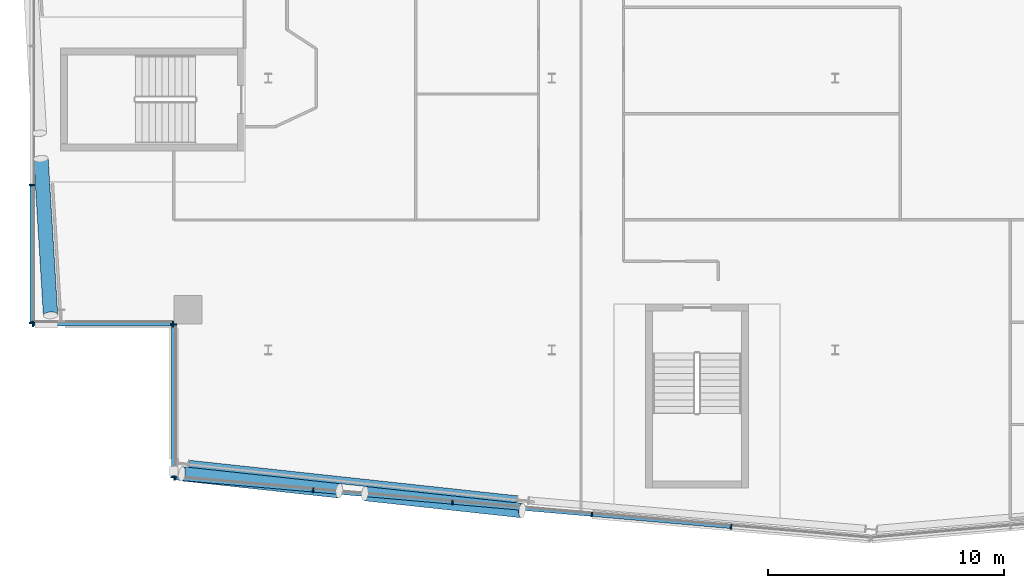
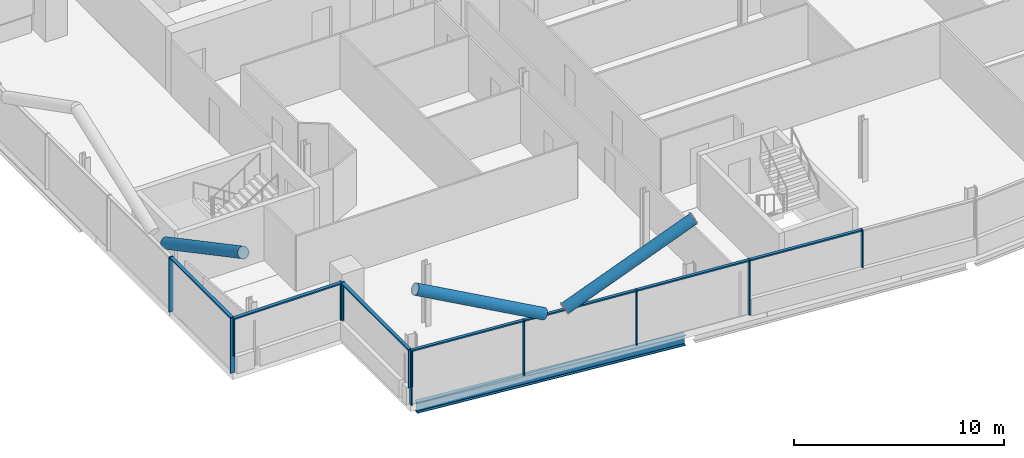
# One storey, part 5 of 27: 21 members, 1 beam, 4 elements without a shape of their own.
"""IFC4 building model written with IfcOpenShell, lengths in metres."""

from ifc_helpers import new_model, si_unit, direction, frame, origin, origin_2d, place, context, subcontext, project, spatial, rectangle, hollow_circle, i_section, extrude, material, material_profile, profile_set, type_object, element, aggregate, save


model = new_model("IFC4")

# Units and contexts
model_context = context("Model", 3, precision=1e-05, world=origin(), true_north=direction((0.0, 1.0)))
body_context = subcontext(model_context, "Body", "Model", "MODEL_VIEW")
ifc_project = project(units=[si_unit("LENGTHUNIT", "METRE"), si_unit("AREAUNIT", "SQUARE_METRE"), si_unit("VOLUMEUNIT", "CUBIC_METRE"), si_unit("PLANEANGLEUNIT", "RADIAN"), si_unit("MASSUNIT", "GRAM", prefix="KILO")], contexts=[model_context])

# Site, building, storey
site_placement = place(None, origin())
site = spatial("IfcSite", under=ifc_project, at=site_placement, CompositionType="ELEMENT")
building_placement = place(site_placement, origin())
building = spatial("IfcBuilding", under=site, at=building_placement, Name="Wharfspan Tower", CompositionType="ELEMENT")
storey_placement = place(building_placement, frame((0.0, 0.0, 228.699951)))
storey = spatial("IfcBuildingStorey", under=building, at=storey_placement, Name="L57", CompositionType="ELEMENT", Elevation=228.699951)

# Beam
ifc_material_1 = material(Name="Steel S355J2", Category="steel")
ifc_material_profile_1 = material_profile(ifc_material_1, i_section(OverallWidth=0.300049, OverallDepth=0.600098, WebThickness=0.015381, FlangeThickness=0.030029, FilletRadius=0.0271, at=origin_2d()))
ifc_profile_set_1 = profile_set([ifc_material_profile_1], Name="Steel S355J2")
beam_type = type_object("IfcBeamType", Name="Edge beam HEB 600", PredefinedType="SPANDREL", material=ifc_profile_set_1)
beam_placement = place(storey_placement, frame((20.648682, 6.674805, -0.699951), z_axis=(0.99418, -0.107732, 0.0), x_axis=(0.107732, 0.99418, 0.0)))
element("IfcBeam", 1, at=beam_placement, inside=storey, type_object=beam_type, Name="Edge beam S1 L57 PS1.1 to PS1.2", PredefinedType="SPANDREL", context=body_context, shape_type="SweptSolid", body=[
    extrude(i_section(OverallWidth=0.300049, OverallDepth=0.600098, WebThickness=0.015381, FlangeThickness=0.030029, FilletRadius=0.0271, at=origin_2d()), origin(), (0.0, 0.0, 1.0), 13.95752),
])

# Curtain wall, members
ifc_material_2 = material(Name="Aluminium 6063-T6", Category="aluminium")
curtain_wall_type_1 = type_object("IfcCurtainWallType", Name="CURTAIN WALL FACETED FRONT", PredefinedType="NOTDEFINED", material=ifc_material_2)
curtain_wall_1_placement = place(storey_placement, origin())
curtain_wall_1 = element("IfcCurtainWall", 2, at=curtain_wall_1_placement, inside=storey, type_object=curtain_wall_type_1, Name="Curtain wall S1", PredefinedType="NOTDEFINED")
ifc_material_profile_2 = material_profile(ifc_material_2, rectangle(XDim=0.199951, YDim=0.060059, at=origin_2d()))
ifc_profile_set_2 = profile_set([ifc_material_profile_2], Name="Aluminium 6063-T6")
member_type_1 = type_object("IfcMemberType", Name="MULLION FACETED FRONT 60x200", PredefinedType="MULLION", material=ifc_profile_set_2)
member_1_placement = place(storey_placement, frame((20.029785, 6.07251, 0.0), z_axis=(0.0, 0.0, 1.0), x_axis=(0.087156, 0.996197, 0.0)))
member_1 = element("IfcMember", 3, at=member_1_placement, type_object=member_type_1, Name="Curtain wall S1 mullion 1", PredefinedType="MULLION", context=body_context, shape_type="SweptSolid", body=[
    extrude(rectangle(XDim=0.199951, YDim=0.060059, at=origin_2d()), origin(), (0.0, 0.0, 1.0), 3.199951),
])
member_2_placement = place(storey_placement, frame((25.899902, 5.558838, 0.0), z_axis=(0.0, 0.0, 1.0), x_axis=(0.087156, 0.996197, 0.0)))
member_2 = element("IfcMember", 4, at=member_2_placement, type_object=member_type_1, Name="Curtain wall S1 mullion 2", PredefinedType="MULLION", context=body_context, shape_type="SweptSolid", body=[
    extrude(rectangle(XDim=0.199951, YDim=0.060059, at=origin_2d()), origin(), (0.0, 0.0, 1.0), 3.199951),
])
member_3_placement = place(storey_placement, frame((31.800049, 5.042725, 0.0), z_axis=(0.0, 0.0, 1.0), x_axis=(0.087156, 0.996197, 0.0)))
member_3 = element("IfcMember", 5, at=member_3_placement, type_object=member_type_1, Name="Curtain wall S1 mullion 3", PredefinedType="MULLION", context=body_context, shape_type="SweptSolid", body=[
    extrude(rectangle(XDim=0.199951, YDim=0.060059, at=origin_2d()), origin(), (0.0, 0.0, 1.0), 3.199951),
])
member_4_placement = place(storey_placement, frame((37.699951, 4.526611, 0.0), z_axis=(0.0, 0.0, 1.0), x_axis=(0.087156, 0.996197, 0.0)))
member_4 = element("IfcMember", 6, at=member_4_placement, type_object=member_type_1, Name="Curtain wall S1 mullion 4", PredefinedType="MULLION", context=body_context, shape_type="SweptSolid", body=[
    extrude(rectangle(XDim=0.199951, YDim=0.060059, at=origin_2d()), origin(), (0.0, 0.0, 1.0), 3.199951),
])
member_5_placement = place(storey_placement, frame((43.600098, 4.010254, 1.0), z_axis=(0.0, 0.0, 1.0), x_axis=(0.087156, 0.996197, 0.0)))
member_5 = element("IfcMember", 7, at=member_5_placement, type_object=member_type_1, Name="Curtain wall S1 mullion 5", PredefinedType="MULLION", context=body_context, shape_type="SweptSolid", body=[
    extrude(rectangle(XDim=0.199951, YDim=0.060059, at=origin_2d()), origin(), (0.0, 0.0, 1.0), 2.199951),
])

curtain_wall_type_2 = type_object("IfcCurtainWallType", Name="CURTAIN WALL PROW AND END", PredefinedType="NOTDEFINED", material=ifc_material_2)
curtain_wall_2_placement = place(storey_placement, origin())
curtain_wall_2 = element("IfcCurtainWall", 8, at=curtain_wall_2_placement, inside=storey, type_object=curtain_wall_type_2, Name="Curtain wall W", PredefinedType="NOTDEFINED")
ifc_material_profile_3 = material_profile(ifc_material_2, rectangle(XDim=0.23999, YDim=0.060059, at=origin_2d()))
ifc_profile_set_3 = profile_set([ifc_material_profile_3], Name="Aluminium 6063-T6")
member_type_2 = type_object("IfcMemberType", Name="MULLION PROW AND END 60x240", PredefinedType="MULLION", material=ifc_profile_set_3)
member_6_placement = place(storey_placement, frame((14.0, 18.47998, 0.0), z_axis=(0.0, 0.0, 1.0), x_axis=(1.0, 0.0, 0.0)))
member_6 = element("IfcMember", 9, at=member_6_placement, type_object=member_type_2, Name="Curtain wall W mullion 5", PredefinedType="MULLION", context=body_context, shape_type="SweptSolid", body=[
    extrude(rectangle(XDim=0.23999, YDim=0.060059, at=origin_2d()), origin(), (0.0, 0.0, 1.0), 3.199951),
])
member_7_placement = place(storey_placement, frame((14.0, 12.629883, 0.0), z_axis=(0.0, 0.0, 1.0), x_axis=(1.0, 0.0, 0.0)))
member_7 = element("IfcMember", 10, at=member_7_placement, type_object=member_type_2, Name="Curtain wall W mullion 6", PredefinedType="MULLION", context=body_context, shape_type="SweptSolid", body=[
    extrude(rectangle(XDim=0.23999, YDim=0.060059, at=origin_2d()), origin(), (0.0, 0.0, 1.0), 3.199951),
])

curtain_wall_3_placement = place(storey_placement, origin())
curtain_wall_3 = element("IfcCurtainWall", 11, at=curtain_wall_3_placement, inside=storey, type_object=curtain_wall_type_2, Name="Curtain wall NFW-H", PredefinedType="NOTDEFINED")
member_8_placement = place(storey_placement, frame((14.030029, 12.600098, 1.0), z_axis=(0.0, 0.0, 1.0), x_axis=(0.0, 1.0, 0.0)))
member_8 = element("IfcMember", 12, at=member_8_placement, type_object=member_type_2, Name="Curtain wall NFW-H mullion 1", PredefinedType="MULLION", context=body_context, shape_type="SweptSolid", body=[
    extrude(rectangle(XDim=0.23999, YDim=0.060059, at=origin_2d()), origin(), (0.0, 0.0, 1.0), 2.199951),
])
member_9_placement = place(storey_placement, frame((19.969971, 12.600098, 1.0), z_axis=(0.0, 0.0, 1.0), x_axis=(0.0, 1.0, 0.0)))
member_9 = element("IfcMember", 13, at=member_9_placement, type_object=member_type_2, Name="Curtain wall NFW-H mullion 2", PredefinedType="MULLION", context=body_context, shape_type="SweptSolid", body=[
    extrude(rectangle(XDim=0.23999, YDim=0.060059, at=origin_2d()), origin(), (0.0, 0.0, 1.0), 2.199951),
])

curtain_wall_4_placement = place(storey_placement, origin())
curtain_wall_4 = element("IfcCurtainWall", 14, at=curtain_wall_4_placement, inside=storey, type_object=curtain_wall_type_2, Name="Curtain wall NFW-V", PredefinedType="NOTDEFINED")
member_10_placement = place(storey_placement, frame((20.0, 12.570068, 1.0), z_axis=(0.0, 0.0, 1.0), x_axis=(1.0, 0.0, 0.0)))
member_10 = element("IfcMember", 15, at=member_10_placement, type_object=member_type_2, Name="Curtain wall NFW-V mullion 1", PredefinedType="MULLION", context=body_context, shape_type="SweptSolid", body=[
    extrude(rectangle(XDim=0.23999, YDim=0.060059, at=origin_2d()), origin(), (0.0, 0.0, 1.0), 2.199951),
])
member_11_placement = place(storey_placement, frame((20.0, 6.10498, 1.0), z_axis=(0.0, 0.0, 1.0), x_axis=(1.0, 0.0, 0.0)))
member_11 = element("IfcMember", 16, at=member_11_placement, type_object=member_type_2, Name="Curtain wall NFW-V mullion 2", PredefinedType="MULLION", context=body_context, shape_type="SweptSolid", body=[
    extrude(rectangle(XDim=0.23999, YDim=0.060059, at=origin_2d()), origin(), (0.0, 0.0, 1.0), 2.199951),
])

# Members
ifc_material_3 = material(Name="Steel S460NH", Category="steel")
ifc_material_profile_4 = material_profile(ifc_material_3, hollow_circle(Radius=0.304932, WallThickness=0.024902, at=origin_2d()))
ifc_profile_set_4 = profile_set([ifc_material_profile_4], Name="Steel S460NH")
member_type_3 = type_object("IfcMemberType", Name="Mega brace CHS 610x25", PredefinedType="BRACE", material=ifc_profile_set_4)
for number, where, z_axis, x_axis, name in (
    (17, (28.088867, 5.410889, 3.171143), (0.890126, -0.09646, 0.445389), (0.107737, 0.99418, -2e-06), "Mega brace S1 L57 part 2"),
    (18, (27.005371, 5.52832, 3.171143), (-0.890126, 0.09646, 0.445389), (-0.107737, -0.99418, -2e-06), "Mega brace S1 L57 part 4"),
):
    element("IfcMember", number, at=place(storey_placement, frame(where, z_axis=z_axis, x_axis=x_axis)), inside=storey, type_object=member_type_3, Name=name, PredefinedType="BRACE", context=body_context, shape_type="SweptSolid", body=[
        extrude(hollow_circle(Radius=0.304932, WallThickness=0.024902, at=origin_2d()), origin(), (0.0, 0.0, 1.0), 7.474121),
    ])
member_12_placement = place(storey_placement, frame((14.376953, 19.592773, 3.170654), z_axis=(0.054615, -0.892302, 0.448123), x_axis=(0.998132, 0.061091, -3e-06)))
element("IfcMember", 19, at=member_12_placement, inside=storey, type_object=member_type_3, Name="Mega brace W4 L57 part 2", PredefinedType="BRACE", context=body_context, shape_type="SweptSolid", body=[
    extrude(hollow_circle(Radius=0.304932, WallThickness=0.024902, at=origin_2d()), origin(), (0.0, 0.0, 1.0), 7.429443),
])

# Member
ifc_material_profile_5 = material_profile(ifc_material_2, rectangle(XDim=0.159912, YDim=0.080078, at=origin_2d()))
ifc_profile_set_5 = profile_set([ifc_material_profile_5], Name="Aluminium 6063-T6")
member_type_4 = type_object("IfcMemberType", Name="TRANSOM FACETED FRONT 80x160", PredefinedType="USERDEFINED", material=ifc_profile_set_5)
member_13_placement = place(storey_placement, frame((20.059814, 6.069824, 3.160156), z_axis=(0.996195, -0.08715, 0.0), x_axis=(0.08715, 0.996195, 0.0)))
member_13 = element("IfcMember", 20, at=member_13_placement, type_object=member_type_4, Name="Curtain wall S1 transom 1", ObjectType="TRANSOM", PredefinedType="USERDEFINED", context=body_context, shape_type="SweptSolid", body=[
    extrude(rectangle(XDim=0.159912, YDim=0.080078, at=origin_2d()), origin(), (0.0, 0.0, 1.0), 5.83252),
])

member_14_placement = place(storey_placement, frame((25.929932, 5.556152, 3.160156), z_axis=(0.996198, -0.087122, 0.0), x_axis=(0.087122, 0.996198, 0.0)))
member_14 = element("IfcMember", 21, at=member_14_placement, type_object=member_type_4, Name="Curtain wall S1 transom 2", ObjectType="TRANSOM", PredefinedType="USERDEFINED", context=body_context, shape_type="SweptSolid", body=[
    extrude(rectangle(XDim=0.159912, YDim=0.080078, at=origin_2d()), origin(), (0.0, 0.0, 1.0), 5.862305),
])

member_15_placement = place(storey_placement, frame((31.829834, 5.040039, 3.160156), z_axis=(0.996194, -0.08716, 0.0), x_axis=(0.08716, 0.996194, 0.0)))
member_15 = element("IfcMember", 22, at=member_15_placement, type_object=member_type_4, Name="Curtain wall S1 transom 3", ObjectType="TRANSOM", PredefinedType="USERDEFINED", context=body_context, shape_type="SweptSolid", body=[
    extrude(rectangle(XDim=0.159912, YDim=0.080078, at=origin_2d()), origin(), (0.0, 0.0, 1.0), 5.862549),
])

member_16_placement = place(storey_placement, frame((37.72998, 4.523926, 3.160156), z_axis=(0.996194, -0.087163, 0.0), x_axis=(0.087163, 0.996194, 0.0)))
member_16 = element("IfcMember", 23, at=member_16_placement, type_object=member_type_4, Name="Curtain wall S1 transom 4", ObjectType="TRANSOM", PredefinedType="USERDEFINED", context=body_context, shape_type="SweptSolid", body=[
    extrude(rectangle(XDim=0.159912, YDim=0.080078, at=origin_2d()), origin(), (0.0, 0.0, 1.0), 5.862305),
])

aggregate(curtain_wall_1, [member_1, member_2, member_3, member_4, member_5, member_13, member_14, member_15, member_16])

ifc_material_profile_6 = material_profile(ifc_material_2, rectangle(XDim=0.179932, YDim=0.080078, at=origin_2d()))
ifc_profile_set_6 = profile_set([ifc_material_profile_6], Name="Aluminium 6063-T6")
member_type_5 = type_object("IfcMemberType", Name="TRANSOM PROW AND END 80x180", PredefinedType="USERDEFINED", material=ifc_profile_set_6)
member_17_placement = place(storey_placement, frame((14.0, 18.449951, 3.160156), z_axis=(0.0, -1.0, 0.0), x_axis=(1.0, 0.0, 0.0)))
member_17 = element("IfcMember", 24, at=member_17_placement, type_object=member_type_5, Name="Curtain wall W transom 5", ObjectType="TRANSOM", PredefinedType="USERDEFINED", context=body_context, shape_type="SweptSolid", body=[
    extrude(rectangle(XDim=0.179932, YDim=0.080078, at=origin_2d()), origin(), (0.0, 0.0, 1.0), 5.790039),
])

aggregate(curtain_wall_2, [member_6, member_7, member_17])

member_18_placement = place(storey_placement, frame((14.060059, 12.600098, 3.160156), z_axis=(1.0, 0.0, 0.0), x_axis=(0.0, 1.0, 0.0)))
member_18 = element("IfcMember", 25, at=member_18_placement, type_object=member_type_5, Name="Curtain wall NFW-H transom 1", ObjectType="TRANSOM", PredefinedType="USERDEFINED", context=body_context, shape_type="SweptSolid", body=[
    extrude(rectangle(XDim=0.179932, YDim=0.080078, at=origin_2d()), origin(), (0.0, 0.0, 1.0), 5.879883),
])

aggregate(curtain_wall_3, [member_8, member_9, member_18])

member_19_placement = place(storey_placement, frame((20.0, 12.540039, 3.160156), z_axis=(0.0, -1.0, 0.0), x_axis=(1.0, 0.0, 0.0)))
member_19 = element("IfcMember", 26, at=member_19_placement, type_object=member_type_5, Name="Curtain wall NFW-V transom 1", ObjectType="TRANSOM", PredefinedType="USERDEFINED", context=body_context, shape_type="SweptSolid", body=[
    extrude(rectangle(XDim=0.179932, YDim=0.080078, at=origin_2d()), origin(), (0.0, 0.0, 1.0), 6.405029),
])

aggregate(curtain_wall_4, [member_10, member_11, member_19])

save(model, "model.ifc")
